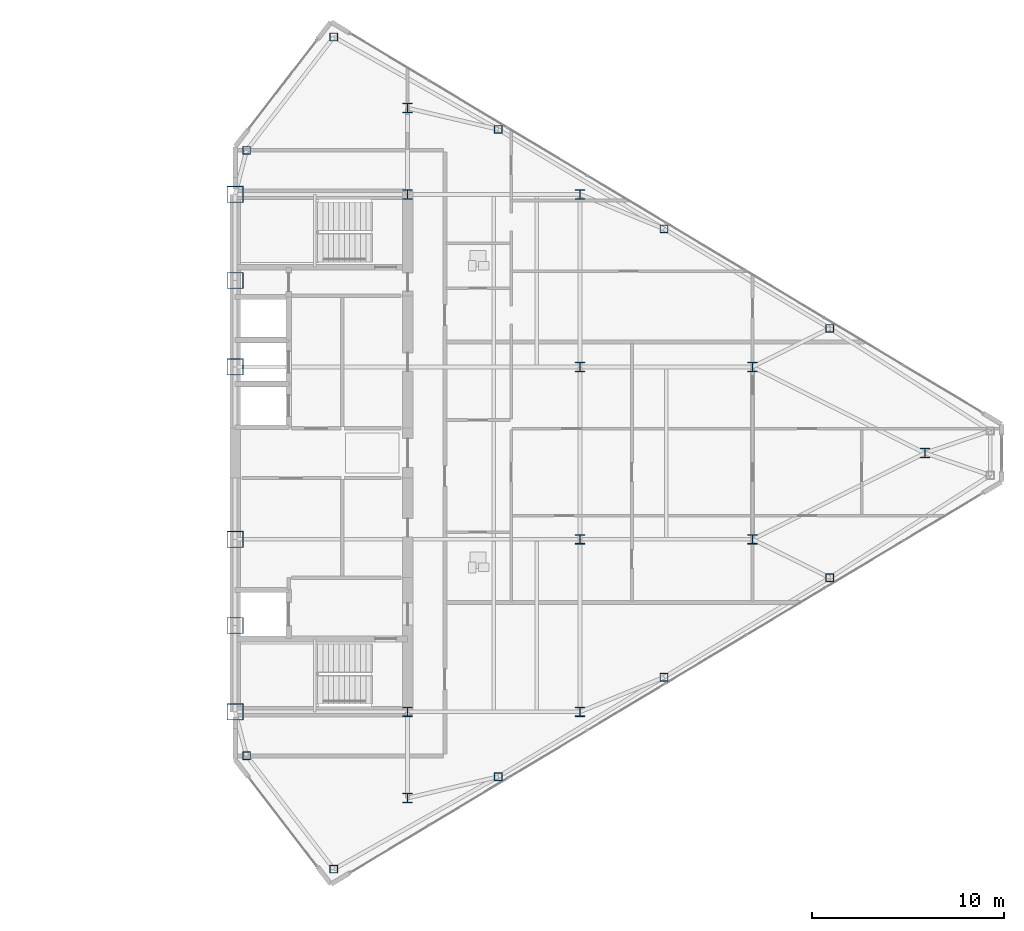
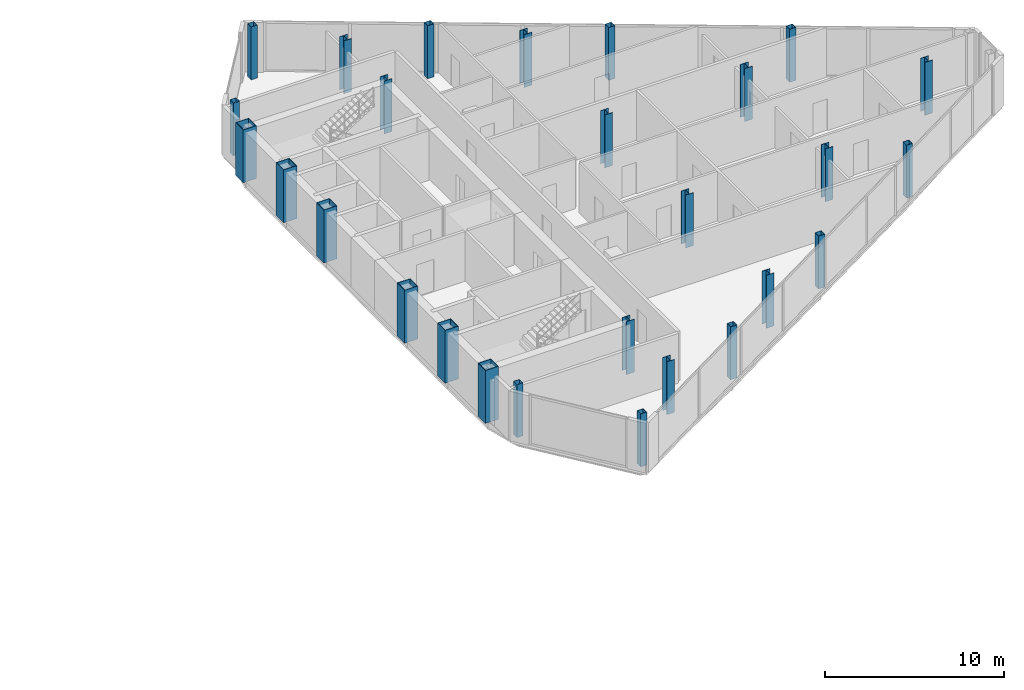
# One storey, part 3 of 26: 27 columns.
"""IFC4 building model written with IfcOpenShell, lengths in metres."""

from ifc_helpers import new_model, si_unit, direction, frame, origin, origin_2d, place, context, subcontext, project, spatial, hollow_rectangle, i_section, extrude, source, transform, mapped, material, material_profile, profile_set, type_object, type_shapes, element, save


model = new_model("IFC4")

# Units and contexts
model_context = context("Model", 3, precision=1e-05, world=origin(), true_north=direction((0.0, 1.0)))
body_context = subcontext(model_context, "Body", "Model", "MODEL_VIEW")
ifc_project = project(units=[si_unit("LENGTHUNIT", "METRE"), si_unit("AREAUNIT", "SQUARE_METRE"), si_unit("VOLUMEUNIT", "CUBIC_METRE"), si_unit("PLANEANGLEUNIT", "RADIAN"), si_unit("MASSUNIT", "GRAM", prefix="KILO")], contexts=[model_context])

# Site, building, storey
site_placement = place(None, origin())
site = spatial("IfcSite", under=ifc_project, at=site_placement, CompositionType="ELEMENT")
building_placement = place(site_placement, origin())
building = spatial("IfcBuilding", under=site, at=building_placement, Name="Seokmaru Belvedere", CompositionType="ELEMENT")
storey_placement = place(building_placement, frame((0.0, 0.0, 199.5)))
storey = spatial("IfcBuildingStorey", under=building, at=storey_placement, Name="L53", CompositionType="ELEMENT", Elevation=199.5)

# Columns
ifc_material_1 = material(Name="Steel HSA650 (650 MPa)", Category="steel")
ifc_material_profile_1 = material_profile(ifc_material_1, hollow_rectangle(XDim=0.85009765625, YDim=0.85009765625, WallThickness=0.035888671875, at=origin_2d()), Name="BOX-850x850x36")
ifc_profile_set_1 = profile_set([ifc_material_profile_1], Name="Steel HSA650 (650 MPa)")
column_type_1 = type_object("IfcColumnType", Name="Portal Spine Column BOX-850", PredefinedType="COLUMN", material=ifc_profile_set_1)
shared_shape_1 = source(origin(), body_context, "Body", "SweptSolid", [
    extrude(hollow_rectangle(XDim=0.85009765625, YDim=0.85009765625, WallThickness=0.035888671875, at=origin_2d()), origin(), (0.0, 0.0, 1.0), 3.60009765625),
])
type_shapes(column_type_1, [shared_shape_1])
for number, where, z_axis, x_axis, name in (
    (1, (27.5, -13.5, 0.0), (0.0, 0.0, 1.0), (1.0, 0.0, 0.0), "L53 Column ES1"),
    (2, (27.5, -9.0, 0.0), (0.0, 0.0, 1.0), (1.0, 0.0, 0.0), "L53 Column ES2"),
    (3, (27.5, -4.5, 0.0), (0.0, 0.0, 1.0), (1.0, 0.0, 0.0), "L53 Column ES3"),
    (4, (27.5, 4.5, 0.0), (0.0, 0.0, 1.0), (1.0, 0.0, 0.0), "L53 Column ES4"),
    (5, (27.5, 9.0, 0.0), (0.0, 0.0, 1.0), (1.0, 0.0, 0.0), "L53 Column ES5"),
    (6, (27.5, 13.5, 0.0), (0.0, 0.0, 1.0), (1.0, 0.0, 0.0), "L53 Column ES6"),
):
    element("IfcColumn", number, at=place(storey_placement, frame(where, z_axis=z_axis, x_axis=x_axis)), inside=storey, type_object=column_type_1, Name=name, PredefinedType="COLUMN", context=body_context, shape_type="MappedRepresentation", body=[
        mapped(shared_shape_1, transform((0.0, 0.0, 0.0), scale=1.0)),
    ])
ifc_material_2 = material(Name="Steel SM355 (355 MPa)", Category="steel")
ifc_material_profile_2 = material_profile(ifc_material_2, i_section(OverallWidth=0.5, OverallDepth=0.5, WebThickness=0.02001953125, FlangeThickness=0.031982421875, at=origin_2d()), Name="H-500x500x20x32")
ifc_profile_set_2 = profile_set([ifc_material_profile_2], Name="Steel SM355 (355 MPa)")
column_type_2 = type_object("IfcColumnType", Name="High-Rise Interior Column H-500", PredefinedType="COLUMN", material=ifc_profile_set_2)
shared_shape_2 = source(origin(), body_context, "Body", "SweptSolid", [
    extrude(i_section(OverallWidth=0.5, OverallDepth=0.5, WebThickness=0.02001953125, FlangeThickness=0.031982421875, at=origin_2d()), origin(), (0.0, 0.0, 1.0), 3.60009765625),
])
type_shapes(column_type_2, [shared_shape_2])
for number, where, z_axis, x_axis, name in (
    (7, (36.5, -18.0, 0.0), (0.0, 0.0, 1.0), (1.0, 0.0, 0.0), "L53 Column EC1"),
    (8, (36.5, -13.5, 0.0), (0.0, 0.0, 1.0), (1.0, 0.0, 0.0), "L53 Column EC2"),
    (9, (36.5, 13.5, 0.0), (0.0, 0.0, 1.0), (1.0, 0.0, 0.0), "L53 Column EC3"),
    (10, (36.5, 18.0, 0.0), (0.0, 0.0, 1.0), (1.0, 0.0, 0.0), "L53 Column EC4"),
    (11, (45.5, -13.5, 0.0), (0.0, 0.0, 1.0), (1.0, 0.0, 0.0), "L53 Column EG5_1"),
    (12, (45.5, -4.5, 0.0), (0.0, 0.0, 1.0), (1.0, 0.0, 0.0), "L53 Column EG5_2"),
    (13, (45.5, 4.5, 0.0), (0.0, 0.0, 1.0), (1.0, 0.0, 0.0), "L53 Column EG5_3"),
    (14, (45.5, 13.5, 0.0), (0.0, 0.0, 1.0), (1.0, 0.0, 0.0), "L53 Column EG5_4"),
    (15, (54.5, -4.5, 0.0), (0.0, 0.0, 1.0), (1.0, 0.0, 0.0), "L53 Column EG4P_1"),
    (16, (54.5, 4.5, 0.0), (0.0, 0.0, 1.0), (1.0, 0.0, 0.0), "L53 Column EG4P_2"),
    (17, (63.5, 0.0, 0.0), (0.0, 0.0, 1.0), (1.0, 0.0, 0.0), "L53 Column EG3P_1"),
):
    element("IfcColumn", number, at=place(storey_placement, frame(where, z_axis=z_axis, x_axis=x_axis)), inside=storey, type_object=column_type_2, Name=name, PredefinedType="COLUMN", context=body_context, shape_type="MappedRepresentation", body=[
        mapped(shared_shape_2, transform((0.0, 0.0, 0.0), scale=1.0)),
    ])
ifc_material_profile_3 = material_profile(ifc_material_2, hollow_rectangle(XDim=0.39990234375, YDim=0.39990234375, WallThickness=0.01611328125, at=origin_2d()), Name="HSS-400x400x16")
ifc_profile_set_3 = profile_set([ifc_material_profile_3], Name="Steel SM355 (355 MPa)")
column_type_3 = type_object("IfcColumnType", Name="Perimeter Facet Column HSS-400", PredefinedType="COLUMN", material=ifc_profile_set_3)
shared_shape_3 = source(origin(), body_context, "Body", "SweptSolid", [
    extrude(hollow_rectangle(XDim=0.39990234375, YDim=0.39990234375, WallThickness=0.01611328125, at=origin_2d()), origin(), (0.0, 0.0, 1.0), 3.60009765625),
])
type_shapes(column_type_3, [shared_shape_3])
for number, where, z_axis, x_axis, name in (
    (18, (32.649658203125, -21.71044921875, 0.0), (0.0, 0.0, 1.0), (1.0, 0.0, 0.0), "L53 Column EF1"),
    (19, (32.649658203125, 21.71044921875, 0.0), (0.0, 0.0, 1.0), (1.0, 0.0, 0.0), "L53 Column EF4"),
    (20, (28.10009765625, 15.7958984375, 0.0), (0.0, 0.0, 1.0), (1.0, 0.0, 0.0), "L53 Column EF5"),
    (21, (28.10009765625, -15.7958984375, 0.0), (0.0, 0.0, 1.0), (1.0, 0.0, 0.0), "L53 Column EF6"),
    (22, (41.229736328125, -16.888916015625, 0.0), (0.0, 0.0, 1.0), (1.0, 0.0, 0.0), "L53 Column EFLK_S1"),
    (23, (49.8798828125, -11.698974609375, 0.0), (0.0, 0.0, 1.0), (1.0, 0.0, 0.0), "L53 Column EFLK_S2"),
    (24, (58.530029296875, -6.5087890625, 0.0), (0.0, 0.0, 1.0), (1.0, 0.0, 0.0), "L53 Column EFLK_S3"),
    (25, (41.229736328125, 16.888916015625, 0.0), (0.0, 0.0, 1.0), (1.0, 0.0, 0.0), "L53 Column EFLK_N1"),
    (26, (49.8798828125, 11.698974609375, 0.0), (0.0, 0.0, 1.0), (1.0, 0.0, 0.0), "L53 Column EFLK_N2"),
    (27, (58.530029296875, 6.5087890625, 0.0), (0.0, 0.0, 1.0), (1.0, 0.0, 0.0), "L53 Column EFLK_N3"),
):
    element("IfcColumn", number, at=place(storey_placement, frame(where, z_axis=z_axis, x_axis=x_axis)), inside=storey, type_object=column_type_3, Name=name, PredefinedType="COLUMN", context=body_context, shape_type="MappedRepresentation", body=[
        mapped(shared_shape_3, transform((0.0, 0.0, 0.0), scale=1.0)),
    ])

save(model, "model.ifc")
